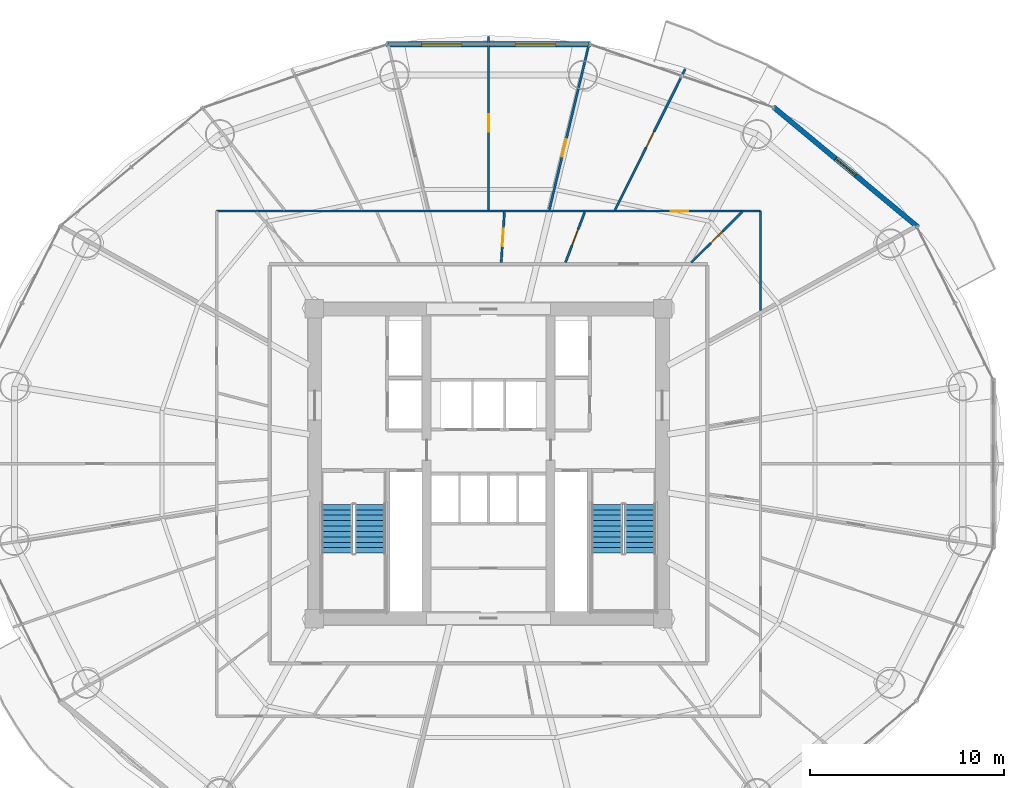
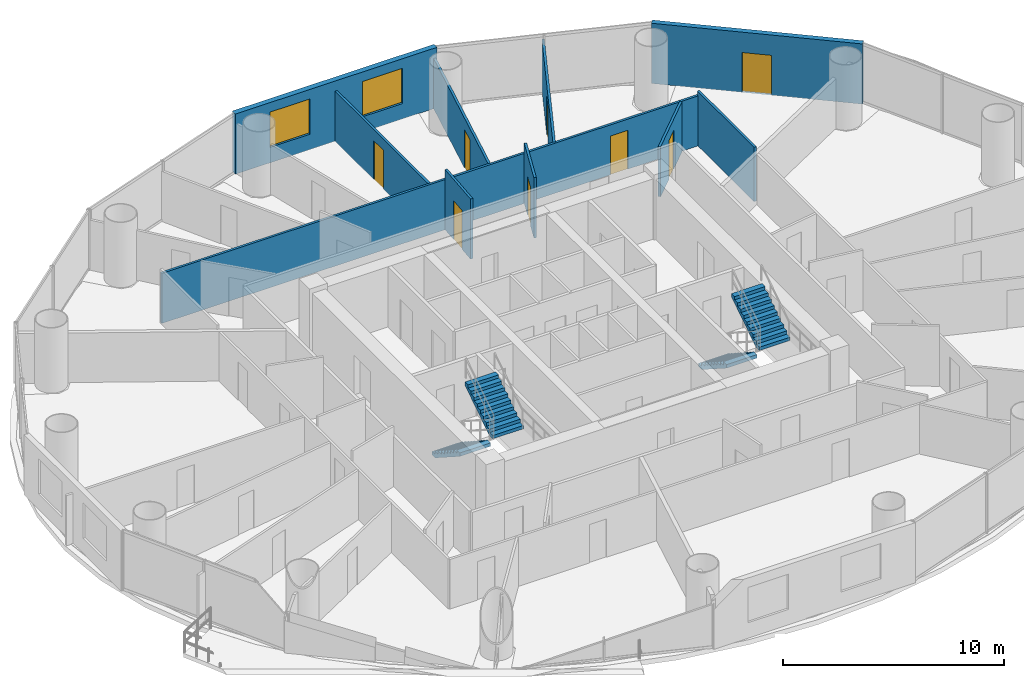
# One storey, part 25 of 29: 10 walls, 8 doors, 4 stair flights, 2 windows, 10 openings, 2 elements without a shape of their own.
"""IFC4 building model written with IfcOpenShell, lengths in metres."""

from ifc_helpers import new_model, si_unit, direction, frame, frame_2d, origin, place, context, subcontext, project, spatial, polyline, rectangle, outline, extrude, source, transform, mapped, material, layer, layer_set, type_object, element, fill, aggregate, save


model = new_model("IFC4")

# Units and contexts
model_context = context("Model", 3, precision=1e-05, world=origin(), true_north=direction((-0.2419218956, 0.970295726276)))
body_context = subcontext(model_context, "Body", "Model", "MODEL_VIEW")
ifc_project = project(units=[si_unit("LENGTHUNIT", "METRE"), si_unit("AREAUNIT", "SQUARE_METRE"), si_unit("VOLUMEUNIT", "CUBIC_METRE"), si_unit("PLANEANGLEUNIT", "RADIAN"), si_unit("MASSUNIT", "GRAM", prefix="KILO")], contexts=[model_context])

# Site, building, storey
site_placement = place(None, origin())
site = spatial("IfcSite", under=ifc_project, at=site_placement, CompositionType="ELEMENT")
building_placement = place(site_placement, origin())
building = spatial("IfcBuilding", under=site, at=building_placement, Name="Cobrevalo Terracotta Tower", CompositionType="ELEMENT")
storey_placement = place(building_placement, frame((0.0, 0.0, 97.800048828125)))
storey = spatial("IfcBuildingStorey", under=building, at=storey_placement, Name="L25", CompositionType="ELEMENT", Elevation=97.800048828125)

# Wall, openings, windows
ifc_material_1 = material(Name="Autoclaved aerated concrete block", Category="concrete")
ifc_layer_1 = layer(ifc_material_1, 0.280029296875)
ifc_layer_set_1 = layer_set([ifc_layer_1], Name="Autoclaved aerated concrete block")
wall_type_1 = type_object("IfcWallType", Name="Insulated tower spandrel & pier wall 280 mm with terracotta rainscreen", PredefinedType="SOLIDWALL", material=ifc_layer_set_1)
wall_1_placement = place(storey_placement, frame((43.263671875, 48.446044921875, 0.0), z_axis=(0.0, 0.0, 1.0), x_axis=(-1.0, 0.0, 0.0)))
wall_1 = element("IfcWall", 1, at=wall_1_placement, inside=storey, type_object=wall_type_1, Name="L25 terracotta rainscreen pier wall S04", PredefinedType="SOLIDWALL", context=body_context, shape_type="SweptSolid", body=[
    extrude(rectangle(XDim=10.52734375, YDim=0.280029296875, at=frame_2d((5.263671875, 0.0))), origin(), (0.0, 0.0, 1.0), 3.324951171875),
])
opening_1_placement = place(wall_1_placement, frame((1.792236328125, 0.0, 0.85009765625)))
opening_1 = element("IfcOpeningElement", 2, at=opening_1_placement, cuts=wall_1, Name="Opening WN-10", PredefinedType="OPENING", context=body_context, shape_type="SweptSolid", body=[
    extrude(rectangle(XDim=2.10009765625, YDim=1.949951171875, at=frame_2d((1.050048828125, 0.97509765625))), frame((0.0, 0.14990234375, 0.0), z_axis=(0.0, -1.0, 0.0), x_axis=(1.0, 0.0, 0.0)), (0.0, 0.0, 1.0), 0.300048828125),
])
opening_2_placement = place(wall_1_placement, frame((6.634765625, 0.0, 0.85009765625)))
opening_2 = element("IfcOpeningElement", 3, at=opening_2_placement, cuts=wall_1, Name="Opening WN-10", PredefinedType="OPENING", context=body_context, shape_type="SweptSolid", body=[
    extrude(rectangle(XDim=2.10009765625, YDim=1.949951171875, at=frame_2d((1.050048828125, 0.97509765625))), frame((0.0, 0.14990234375, 0.0), z_axis=(0.0, -1.0, 0.0), x_axis=(1.0, 0.0, 0.0)), (0.0, 0.0, 1.0), 0.300048828125),
])
ifc_material_2 = material(Name="Solar-control low-E double glazing", Category="glass")
window_type = type_object("IfcWindowType", Name="Wide panoramic low-E aluminium window 2100x1950", PartitioningType="SINGLE_PANEL", PredefinedType="WINDOW", material=ifc_material_2)
shared_shape_1 = source(origin(), body_context, "Body", "SweptSolid", [
    extrude(rectangle(XDim=2.10009765625, YDim=1.949951171875, at=frame_2d((1.050048828125, 0.97509765625))), frame((0.0, 0.030029296875, 0.0), z_axis=(0.0, -1.0, 0.0), x_axis=(1.0, 0.0, 0.0)), (0.0, 0.0, 1.0), 0.06005859375),
])
window_1_placement = place(opening_1_placement, origin())
window_1 = element("IfcWindow", 4, at=window_1_placement, inside=storey, type_object=window_type, Name="L25 suite window S04A", OverallHeight=1.949951171875, OverallWidth=2.10009765625, PartitioningType="SINGLE_PANEL", PredefinedType="WINDOW", context=body_context, shape_type="MappedRepresentation", body=[
    mapped(shared_shape_1, transform((0.0, 0.0, 0.0), scale=1.0)),
])
fill(opening_1, window_1)
window_2_placement = place(opening_2_placement, origin())
window_2 = element("IfcWindow", 5, at=window_2_placement, inside=storey, type_object=window_type, Name="L25 suite window S04B", OverallHeight=1.949951171875, OverallWidth=2.10009765625, PartitioningType="SINGLE_PANEL", PredefinedType="WINDOW", context=body_context, shape_type="MappedRepresentation", body=[
    mapped(shared_shape_1, transform((0.0, 0.0, 0.0), scale=1.0)),
])
fill(opening_2, window_2)

# Wall, opening, door
ifc_layer_2 = layer(ifc_material_1, 0.260009765625)
ifc_layer_set_2 = layer_set([ifc_layer_2], Name="Autoclaved aerated concrete block")
wall_type_2 = type_object("IfcWallType", Name="Recessed balcony loggia insulated exterior wall 260 mm", PredefinedType="SOLIDWALL", material=ifc_layer_set_2)
wall_2_placement = place(storey_placement, frame((60.15380859375, 39.01025390625, 0.0), z_axis=(0.0, 0.0, 1.0), x_axis=(-0.769242574941, 0.638956853706, 0.0)))
wall_2 = element("IfcWall", 6, at=wall_2_placement, inside=storey, type_object=wall_type_2, Name="L25 balcony loggia wall S02", PredefinedType="SOLIDWALL", context=body_context, shape_type="SweptSolid", body=[
    extrude(rectangle(XDim=9.68994140625, YDim=0.260009765625, at=frame_2d((4.844970703125, 0.0))), origin(), (0.0, 0.0, 1.0), 3.324951171875),
])
opening_3_placement = place(wall_2_placement, frame((4.169921875, 0.0, 0.0)))
opening_3 = element("IfcOpeningElement", 7, at=opening_3_placement, cuts=wall_2, Name="Opening ED-05", PredefinedType="OPENING", context=body_context, shape_type="SweptSolid", body=[
    extrude(rectangle(XDim=1.35009765625, YDim=2.199951171875, at=frame_2d((0.675048828125, 1.10009765625))), frame((0.0, 0.14013671875, 0.0), z_axis=(0.0, -1.0, 0.0), x_axis=(1.0, 0.0, 0.0)), (0.0, 0.0, 1.0), 0.280029296875),
])
ifc_material_3 = material(Name="Anodized aluminium and laminated glass", Category="aluminium")
door_type_1 = type_object("IfcDoorType", Name="Suite balcony acoustic glazed terrace door 1350x2200", OperationType="NOTDEFINED", PredefinedType="DOOR", material=ifc_material_3)
shared_shape_2 = source(origin(), body_context, "Body", "SweptSolid", [
    extrude(rectangle(XDim=1.35009765625, YDim=2.199951171875, at=frame_2d((0.675048828125, 1.10009765625))), frame((0.0, 0.02490234375, 0.0), z_axis=(0.0, -1.0, 0.0), x_axis=(1.0, 0.0, 0.0)), (0.0, 0.0, 1.0), 0.050048828125),
])
door_1_placement = place(opening_3_placement, frame((1.35009765625, 0.0, 0.0), z_axis=(0.0, 0.0, 1.0), x_axis=(-1.0, 0.0, 0.0)))
door_1 = element("IfcDoor", 8, at=door_1_placement, inside=storey, type_object=door_type_1, Name="L25 glazed balcony terrace door 1", OperationType="SINGLE_SWING_LEFT", OverallHeight=2.199951171875, OverallWidth=1.35009765625, PredefinedType="DOOR", context=body_context, shape_type="MappedRepresentation", body=[
    mapped(shared_shape_2, transform((0.0, 0.0, 0.0), scale=1.0)),
])
fill(opening_3, door_1)

ifc_material_4 = material(Name="Gypsum board on steel stud", Category="steel")
ifc_layer_3 = layer(ifc_material_4, 0.1201171875)
ifc_layer_set_3 = layer_set([ifc_layer_3], Name="Gypsum board on steel stud")
wall_type_3 = type_object("IfcWallType", Name="Residential internal acoustic stud partition 120 mm", PredefinedType="PARTITIONING", material=ifc_layer_set_3)
wall_3_placement = place(storey_placement, frame((23.965087890625, 39.8349609375, 0.0), z_axis=(0.0, 0.0, 1.0), x_axis=(1.0, 0.0, 0.0)))
wall_3 = element("IfcWall", 9, at=wall_3_placement, inside=storey, type_object=wall_type_3, Name="L25 interior partition IW-L25-U1-RING1_0", PredefinedType="PARTITIONING", context=body_context, shape_type="SweptSolid", body=[
    extrude(rectangle(XDim=28.06982421875, YDim=0.1201171875, at=frame_2d((14.034912109375, 0.0))), origin(), (0.0, 0.0, 1.0), 2.766845703125),
])
opening_4_placement = place(wall_3_placement, frame((23.442138671875, 0.0, 0.0)))
opening_4 = element("IfcOpeningElement", 10, at=opening_4_placement, cuts=wall_3, Name="Opening ID-12", PredefinedType="OPENING", context=body_context, shape_type="SweptSolid", body=[
    extrude(rectangle(XDim=0.89990234375, YDim=2.14990234375, at=frame_2d((0.449951171875, 1.074951171875))), frame((0.0, 0.070068359375, 0.0), z_axis=(0.0, -1.0, 0.0), x_axis=(1.0, 0.0, 0.0)), (0.0, 0.0, 1.0), 0.14013671875),
])
ifc_material_5 = material(Name="Engineered timber", Category="wood")
door_type_2 = type_object("IfcDoorType", Name="Internal residence & suite timber door 900x2150", OperationType="NOTDEFINED", PredefinedType="DOOR", material=ifc_material_5)
shared_shape_3 = source(origin(), body_context, "Body", "SweptSolid", [
    extrude(rectangle(XDim=0.89990234375, YDim=2.14990234375, at=frame_2d((0.449951171875, 1.074951171875))), frame((0.0, 0.02490234375, 0.0), z_axis=(0.0, -1.0, 0.0), x_axis=(1.0, 0.0, 0.0)), (0.0, 0.0, 1.0), 0.050048828125),
])
door_2_placement = place(opening_4_placement, origin())
door_2 = element("IfcDoor", 11, at=door_2_placement, inside=storey, type_object=door_type_2, Name="Flat L25A Living and Dining Room internal door", OperationType="SINGLE_SWING_LEFT", OverallHeight=2.14990234375, OverallWidth=0.89990234375, PredefinedType="DOOR", context=body_context, shape_type="MappedRepresentation", body=[
    mapped(shared_shape_3, transform((0.0, 0.0, 0.0), scale=1.0)),
])
fill(opening_4, door_2)

# Wall
wall_4_placement = place(storey_placement, frame((52.034912109375, 39.8349609375, 0.0), z_axis=(0.0, 0.0, 1.0), x_axis=(0.0, -1.0, 0.0)))
element("IfcWall", 12, at=wall_4_placement, inside=storey, type_object=wall_type_3, Name="L25 interior partition IW-L25-U1-RING2_0", PredefinedType="PARTITIONING", context=body_context, shape_type="SweptSolid", body=[
    extrude(rectangle(XDim=5.1416015625, YDim=0.1201171875, at=frame_2d((2.57080078125, 0.0))), origin(), (0.0, 0.0, 1.0), 3.00390625),
])

# Wall, opening, door
wall_5_placement = place(storey_placement, frame((44.5263671875, 39.890380859375, 0.0), z_axis=(0.0, 0.0, 1.0), x_axis=(0.446167584581, 0.894949432353, 0.0)))
wall_5 = element("IfcWall", 13, at=wall_5_placement, inside=storey, type_object=wall_type_3, Name="L25 interior partition IW-L25-U1-ORAD1", PredefinedType="PARTITIONING", context=body_context, shape_type="SweptSolid", body=[
    extrude(rectangle(XDim=8.124755859375, YDim=0.1201171875, at=frame_2d((4.0625, 0.0))), origin(), (0.0, 0.0, 1.0), 2.766845703125),
])
opening_5_placement = place(wall_5_placement, frame((3.6123046875, 0.0, 0.0)))
opening_5 = element("IfcOpeningElement", 14, at=opening_5_placement, cuts=wall_5, Name="Opening ID-12", PredefinedType="OPENING", context=body_context, shape_type="SweptSolid", body=[
    extrude(rectangle(XDim=0.89990234375, YDim=2.14990234375, at=frame_2d((0.449951171875, 1.074951171875))), frame((0.0, 0.070068359375, 0.0), z_axis=(0.0, -1.0, 0.0), x_axis=(1.0, 0.0, 0.0)), (0.0, 0.0, 1.0), 0.14013671875),
])
door_3_placement = place(opening_5_placement, origin())
door_3 = element("IfcDoor", 15, at=door_3_placement, inside=storey, type_object=door_type_2, Name="Flat L25A Master Bedroom internal door", OperationType="SINGLE_SWING_RIGHT", OverallHeight=2.14990234375, OverallWidth=0.89990234375, PredefinedType="DOOR", context=body_context, shape_type="MappedRepresentation", body=[
    mapped(shared_shape_3, transform((0.0, 0.0, 0.0), scale=1.0)),
])
fill(opening_5, door_3)

wall_6_placement = place(storey_placement, frame((41.13525390625, 39.895263671875, 0.0), z_axis=(0.0, 0.0, 1.0), x_axis=(0.23282725047, 0.97251810854, 0.0)))
wall_6 = element("IfcWall", 16, at=wall_6_placement, inside=storey, type_object=wall_type_3, Name="L25 interior partition IW-L25-U1-ORAD2", PredefinedType="PARTITIONING", context=body_context, shape_type="SweptSolid", body=[
    extrude(rectangle(XDim=8.71484375, YDim=0.1201171875, at=frame_2d((4.357421875, 0.0))), origin(), (0.0, 0.0, 1.0), 2.766845703125),
])
opening_6_placement = place(wall_6_placement, frame((2.83056640625, 0.0, 0.0)))
opening_6 = element("IfcOpeningElement", 17, at=opening_6_placement, cuts=wall_6, Name="Opening ID-12", PredefinedType="OPENING", context=body_context, shape_type="SweptSolid", body=[
    extrude(rectangle(XDim=0.89990234375, YDim=2.14990234375, at=frame_2d((0.449951171875, 1.074951171875))), frame((0.0, 0.070068359375, 0.0), z_axis=(0.0, -1.0, 0.0), x_axis=(1.0, 0.0, 0.0)), (0.0, 0.0, 1.0), 0.14013671875),
])
door_4_placement = place(opening_6_placement, origin())
door_4 = element("IfcDoor", 18, at=door_4_placement, inside=storey, type_object=door_type_2, Name="Flat L25A Principal Guest Bedroom internal door", OperationType="SINGLE_SWING_LEFT", OverallHeight=2.14990234375, OverallWidth=0.89990234375, PredefinedType="DOOR", context=body_context, shape_type="MappedRepresentation", body=[
    mapped(shared_shape_3, transform((0.0, 0.0, 0.0), scale=1.0)),
])
fill(opening_6, door_4)

wall_7_placement = place(storey_placement, frame((38.0, 39.89697265625, 0.0), z_axis=(0.0, 0.0, 1.0), x_axis=(0.0, 1.0, 0.0)))
wall_7 = element("IfcWall", 19, at=wall_7_placement, inside=storey, type_object=wall_type_3, Name="L25 interior partition IW-L25-U1-ORAD3M1", PredefinedType="PARTITIONING", context=body_context, shape_type="SweptSolid", body=[
    extrude(rectangle(XDim=8.943115234375, YDim=0.1201171875, at=frame_2d((4.4716796875, 0.0))), origin(), (0.0, 0.0, 1.0), 2.766845703125),
])
opening_7_placement = place(wall_7_placement, frame((4.021484375, 0.0, 0.0)))
opening_7 = element("IfcOpeningElement", 20, at=opening_7_placement, cuts=wall_7, Name="Opening ID-12", PredefinedType="OPENING", context=body_context, shape_type="SweptSolid", body=[
    extrude(rectangle(XDim=0.89990234375, YDim=2.14990234375, at=frame_2d((0.449951171875, 1.074951171875))), frame((0.0, 0.070068359375, 0.0), z_axis=(0.0, -1.0, 0.0), x_axis=(1.0, 0.0, 0.0)), (0.0, 0.0, 1.0), 0.14013671875),
])
door_5_placement = place(opening_7_placement, origin())
door_5 = element("IfcDoor", 21, at=door_5_placement, inside=storey, type_object=door_type_2, Name="Flat L25A North Bedroom internal door", OperationType="SINGLE_SWING_RIGHT", OverallHeight=2.14990234375, OverallWidth=0.89990234375, PredefinedType="DOOR", context=body_context, shape_type="MappedRepresentation", body=[
    mapped(shared_shape_3, transform((0.0, 0.0, 0.0), scale=1.0)),
])
fill(opening_7, door_5)

wall_8_placement = place(storey_placement, frame((48.465087890625, 37.18505859375, 0.0), z_axis=(0.0, 0.0, 1.0), x_axis=(0.709839752998, 0.704363205359, 0.0)))
wall_8 = element("IfcWall", 22, at=wall_8_placement, inside=storey, type_object=wall_type_3, Name="L25 interior partition IW-L25-U1-IRAD1", PredefinedType="PARTITIONING", context=body_context, shape_type="SweptSolid", body=[
    extrude(rectangle(XDim=3.7001953125, YDim=0.1201171875, at=frame_2d((1.85009765625, 0.0))), origin(), (0.0, 0.0, 1.0), 2.766845703125),
])
opening_8_placement = place(wall_8_placement, frame((1.420166015625, 0.0, 0.0)))
opening_8 = element("IfcOpeningElement", 23, at=opening_8_placement, cuts=wall_8, Name="Opening ID-19", PredefinedType="OPENING", context=body_context, shape_type="SweptSolid", body=[
    extrude(rectangle(XDim=0.860107421875, YDim=2.14990234375, at=frame_2d((0.43017578125, 1.074951171875))), frame((0.0, 0.070068359375, 0.0), z_axis=(0.0, -1.0, 0.0), x_axis=(1.0, 0.0, 0.0)), (0.0, 0.0, 1.0), 0.14013671875),
])
ifc_material_6 = material(Name="Moisture-sealed timber", Category="wood")
door_type_3 = type_object("IfcDoorType", Name="Suite bathroom internal timber door 860x2150", OperationType="NOTDEFINED", PredefinedType="DOOR", material=ifc_material_6)
shared_shape_4 = source(origin(), body_context, "Body", "SweptSolid", [
    extrude(rectangle(XDim=0.860107421875, YDim=2.14990234375, at=frame_2d((0.43017578125, 1.074951171875))), frame((0.0, 0.02490234375, 0.0), z_axis=(0.0, -1.0, 0.0), x_axis=(1.0, 0.0, 0.0)), (0.0, 0.0, 1.0), 0.050048828125),
])
door_6_placement = place(opening_8_placement, frame((0.860107421875, 0.0, 0.0), z_axis=(0.0, 0.0, 1.0), x_axis=(-1.0, 0.0, 0.0)))
door_6 = element("IfcDoor", 24, at=door_6_placement, inside=storey, type_object=door_type_3, Name="Flat L25A Primary Bathroom internal door", OperationType="SINGLE_SWING_RIGHT", OverallHeight=2.14990234375, OverallWidth=0.860107421875, PredefinedType="DOOR", context=body_context, shape_type="MappedRepresentation", body=[
    mapped(shared_shape_4, transform((0.0, 0.0, 0.0), scale=1.0)),
])
fill(opening_8, door_6)

wall_9_placement = place(storey_placement, frame((41.97119140625, 37.18505859375, 0.0), z_axis=(0.0, 0.0, 1.0), x_axis=(0.357180358075, 0.934035433913, 0.0)))
wall_9 = element("IfcWall", 25, at=wall_9_placement, inside=storey, type_object=wall_type_3, Name="L25 interior partition IW-L25-U1-IRAD2", PredefinedType="PARTITIONING", context=body_context, shape_type="SweptSolid", body=[
    extrude(rectangle(XDim=2.775146484375, YDim=0.1201171875, at=frame_2d((1.3876953125, 0.0))), origin(), (0.0, 0.0, 1.0), 3.324951171875),
])
opening_9_placement = place(wall_9_placement, frame((0.9375, 0.0, 0.0)))
opening_9 = element("IfcOpeningElement", 26, at=opening_9_placement, cuts=wall_9, Name="Opening ID-12", PredefinedType="OPENING", context=body_context, shape_type="SweptSolid", body=[
    extrude(rectangle(XDim=0.89990234375, YDim=2.14990234375, at=frame_2d((0.449951171875, 1.074951171875))), frame((0.0, 0.070068359375, 0.0), z_axis=(0.0, -1.0, 0.0), x_axis=(1.0, 0.0, 0.0)), (0.0, 0.0, 1.0), 0.14013671875),
])
door_7_placement = place(opening_9_placement, origin())
door_7 = element("IfcDoor", 27, at=door_7_placement, inside=storey, type_object=door_type_2, Name="Flat L25A Kitchen internal door", OperationType="SINGLE_SWING_RIGHT", OverallHeight=2.14990234375, OverallWidth=0.89990234375, PredefinedType="DOOR", context=body_context, shape_type="MappedRepresentation", body=[
    mapped(shared_shape_3, transform((0.0, 0.0, 0.0), scale=1.0)),
])
fill(opening_9, door_7)

wall_10_placement = place(storey_placement, frame((38.655029296875, 37.18505859375, 0.0), z_axis=(0.0, 0.0, 1.0), x_axis=(0.062981965009, 0.998014665265, 0.0)))
wall_10 = element("IfcWall", 28, at=wall_10_placement, inside=storey, type_object=wall_type_3, Name="L25 interior partition IW-L25-U1-IRAD3", PredefinedType="PARTITIONING", context=body_context, shape_type="SweptSolid", body=[
    extrude(rectangle(XDim=2.59326171875, YDim=0.1201171875, at=frame_2d((1.296630859375, 0.0))), origin(), (0.0, 0.0, 1.0), 3.324951171875),
])
opening_10_placement = place(wall_10_placement, frame((0.8466796875, 0.0, 0.0)))
opening_10 = element("IfcOpeningElement", 29, at=opening_10_placement, cuts=wall_10, Name="Opening ID-12", PredefinedType="OPENING", context=body_context, shape_type="SweptSolid", body=[
    extrude(rectangle(XDim=0.89990234375, YDim=2.14990234375, at=frame_2d((0.449951171875, 1.074951171875))), frame((0.0, 0.070068359375, 0.0), z_axis=(0.0, -1.0, 0.0), x_axis=(1.0, 0.0, 0.0)), (0.0, 0.0, 1.0), 0.14013671875),
])
door_8_placement = place(opening_10_placement, origin())
door_8 = element("IfcDoor", 30, at=door_8_placement, inside=storey, type_object=door_type_2, Name="Flat L25A Utility Closet internal door", OperationType="SINGLE_SWING_LEFT", OverallHeight=2.14990234375, OverallWidth=0.89990234375, PredefinedType="DOOR", context=body_context, shape_type="MappedRepresentation", body=[
    mapped(shared_shape_3, transform((0.0, 0.0, 0.0), scale=1.0)),
])
fill(opening_10, door_8)

# Stair, stair flights
ifc_material_7 = material(Name="Concrete C50", Category="concrete")
stair_type = type_object("IfcStairType", Name="Core protected escape dogleg stair 1600", PredefinedType="HALF_TURN_STAIR", material=ifc_material_7)
stair_1_placement = place(storey_placement, origin())
stair_1 = element("IfcStair", 31, at=stair_1_placement, inside=storey, type_object=stair_type, Name="L25 Protected exit stair ST-1", PredefinedType="HALF_TURN_STAIR")
stair_flight_type = type_object("IfcStairFlightType", Name="Core protected escape dogleg stair 1600 flight", PredefinedType="STRAIGHT", material=ifc_material_7)
stair_flight_1_placement = place(storey_placement, frame((30.175048828125, 24.699951171875, 0.0), z_axis=(0.0, 0.0, 1.0), x_axis=(0.0, -1.0, 0.0)))
stair_flight_1 = element("IfcStairFlight", 32, at=stair_flight_1_placement, type_object=stair_flight_type, Name="ST-1 flight 1", NumberOfRisers=10, NumberOfTreads=9, PredefinedType="STRAIGHT", RiserHeight=0.18, TreadLength=0.28, context=body_context, shape_type="SweptSolid", body=[
    extrude(outline(polyline([(0.0, 0.0), (0.0, 0.179931640625), (0.280029296875, 0.179931640625), (0.280029296875, 0.360107421875), (0.56005859375, 0.360107421875), (0.56005859375, 0.5400390625), (0.840087890625, 0.5400390625), (0.840087890625, 0.719970703125), (1.1201171875, 0.719970703125), (1.1201171875, 0.89990234375), (1.39990234375, 0.89990234375), (1.39990234375, 1.080078125), (1.679931640625, 1.080078125), (1.679931640625, 1.260009765625), (1.9599609375, 1.260009765625), (1.9599609375, 1.43994140625), (2.239990234375, 1.43994140625), (2.239990234375, 1.6201171875), (2.52001953125, 1.6201171875), (2.52001953125, 1.800048828125), (2.52001953125, 1.429931640625), (0.295654296875, 0.0), (0.0, 0.0)])), frame((0.0, 0.800048828125, 0.0), z_axis=(0.0, -1.0, 0.0), x_axis=(1.0, 0.0, 0.0)), (0.0, 0.0, 1.0), 1.60009765625),
])
stair_flight_2_placement = place(storey_placement, frame((31.89501953125, 22.179931640625, 1.800048828125), z_axis=(0.0, 0.0, 1.0), x_axis=(0.0, 1.0, 0.0)))
stair_flight_2 = element("IfcStairFlight", 33, at=stair_flight_2_placement, type_object=stair_flight_type, Name="ST-1 flight 2", NumberOfRisers=10, NumberOfTreads=9, PredefinedType="STRAIGHT", RiserHeight=0.18, TreadLength=0.28, context=body_context, shape_type="SweptSolid", body=[
    extrude(outline(polyline([(0.0, 0.0), (0.0, 0.179931640625), (0.280029296875, 0.179931640625), (0.280029296875, 0.360107421875), (0.56005859375, 0.360107421875), (0.56005859375, 0.5400390625), (0.840087890625, 0.5400390625), (0.840087890625, 0.719970703125), (1.1201171875, 0.719970703125), (1.1201171875, 0.89990234375), (1.39990234375, 0.89990234375), (1.39990234375, 1.080078125), (1.679931640625, 1.080078125), (1.679931640625, 1.260009765625), (1.9599609375, 1.260009765625), (1.9599609375, 1.43994140625), (2.239990234375, 1.43994140625), (2.239990234375, 1.6201171875), (2.52001953125, 1.6201171875), (2.52001953125, 1.800048828125), (2.52001953125, 1.429931640625), (0.295654296875, 0.0), (0.0, 0.0)])), frame((0.0, 0.800048828125, 0.0), z_axis=(0.0, -1.0, 0.0), x_axis=(1.0, 0.0, 0.0)), (0.0, 0.0, 1.0), 1.60009765625),
])
aggregate(stair_1, [stair_flight_1, stair_flight_2])

stair_2_placement = place(storey_placement, origin())
stair_2 = element("IfcStair", 34, at=stair_2_placement, inside=storey, type_object=stair_type, Name="L25 Protected exit stair ST-2", PredefinedType="HALF_TURN_STAIR")
stair_flight_3_placement = place(storey_placement, frame((44.10498046875, 24.699951171875, 0.0), z_axis=(0.0, 0.0, 1.0), x_axis=(0.0, -1.0, 0.0)))
stair_flight_3 = element("IfcStairFlight", 35, at=stair_flight_3_placement, type_object=stair_flight_type, Name="ST-2 flight 1", NumberOfRisers=10, NumberOfTreads=9, PredefinedType="STRAIGHT", RiserHeight=0.18, TreadLength=0.28, context=body_context, shape_type="SweptSolid", body=[
    extrude(outline(polyline([(0.0, 0.0), (0.0, 0.179931640625), (0.280029296875, 0.179931640625), (0.280029296875, 0.360107421875), (0.56005859375, 0.360107421875), (0.56005859375, 0.5400390625), (0.840087890625, 0.5400390625), (0.840087890625, 0.719970703125), (1.1201171875, 0.719970703125), (1.1201171875, 0.89990234375), (1.39990234375, 0.89990234375), (1.39990234375, 1.080078125), (1.679931640625, 1.080078125), (1.679931640625, 1.260009765625), (1.9599609375, 1.260009765625), (1.9599609375, 1.43994140625), (2.239990234375, 1.43994140625), (2.239990234375, 1.6201171875), (2.52001953125, 1.6201171875), (2.52001953125, 1.800048828125), (2.52001953125, 1.429931640625), (0.295654296875, 0.0), (0.0, 0.0)])), frame((0.0, 0.800048828125, 0.0), z_axis=(0.0, -1.0, 0.0), x_axis=(1.0, 0.0, 0.0)), (0.0, 0.0, 1.0), 1.60009765625),
])
stair_flight_4_placement = place(storey_placement, frame((45.824951171875, 22.179931640625, 1.800048828125), z_axis=(0.0, 0.0, 1.0), x_axis=(0.0, 1.0, 0.0)))
stair_flight_4 = element("IfcStairFlight", 36, at=stair_flight_4_placement, type_object=stair_flight_type, Name="ST-2 flight 2", NumberOfRisers=10, NumberOfTreads=9, PredefinedType="STRAIGHT", RiserHeight=0.18, TreadLength=0.28, context=body_context, shape_type="SweptSolid", body=[
    extrude(outline(polyline([(0.0, 0.0), (0.0, 0.179931640625), (0.280029296875, 0.179931640625), (0.280029296875, 0.360107421875), (0.56005859375, 0.360107421875), (0.56005859375, 0.5400390625), (0.840087890625, 0.5400390625), (0.840087890625, 0.719970703125), (1.1201171875, 0.719970703125), (1.1201171875, 0.89990234375), (1.39990234375, 0.89990234375), (1.39990234375, 1.080078125), (1.679931640625, 1.080078125), (1.679931640625, 1.260009765625), (1.9599609375, 1.260009765625), (1.9599609375, 1.43994140625), (2.239990234375, 1.43994140625), (2.239990234375, 1.6201171875), (2.52001953125, 1.6201171875), (2.52001953125, 1.800048828125), (2.52001953125, 1.429931640625), (0.295654296875, 0.0), (0.0, 0.0)])), frame((0.0, 0.800048828125, 0.0), z_axis=(0.0, -1.0, 0.0), x_axis=(1.0, 0.0, 0.0)), (0.0, 0.0, 1.0), 1.60009765625),
])
aggregate(stair_2, [stair_flight_3, stair_flight_4])

save(model, "model.ifc")
